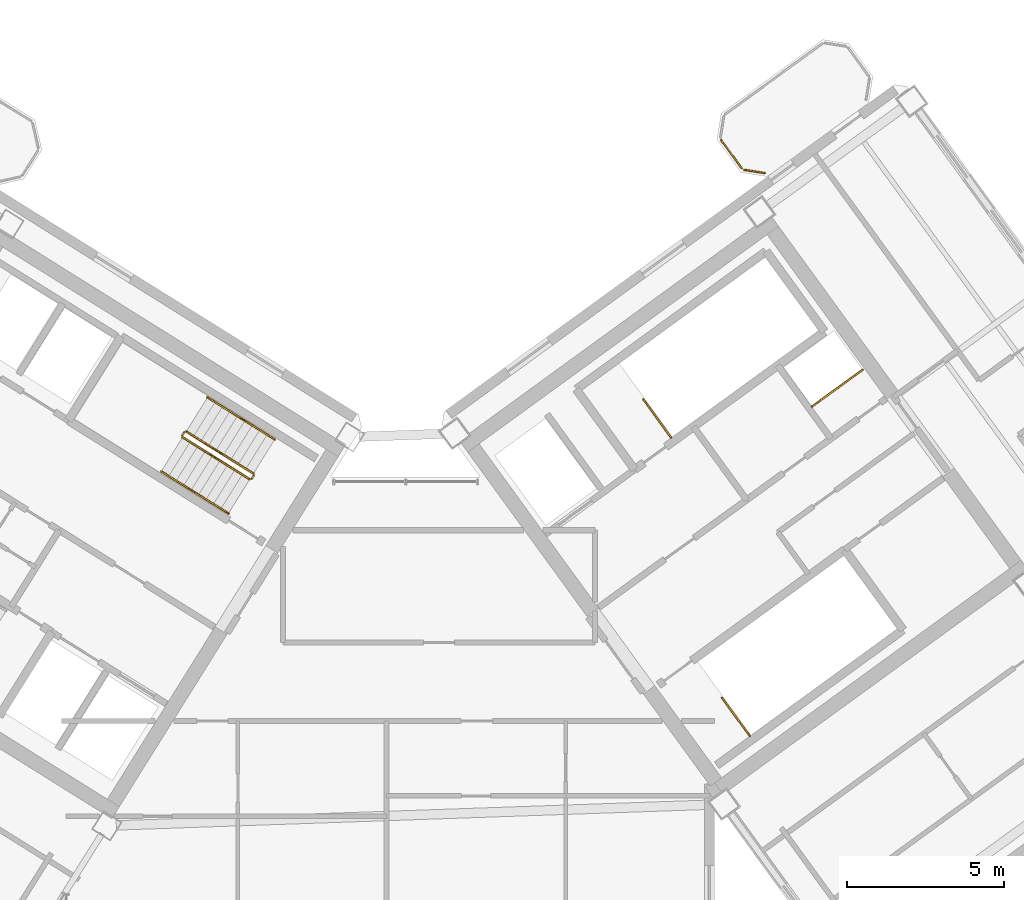
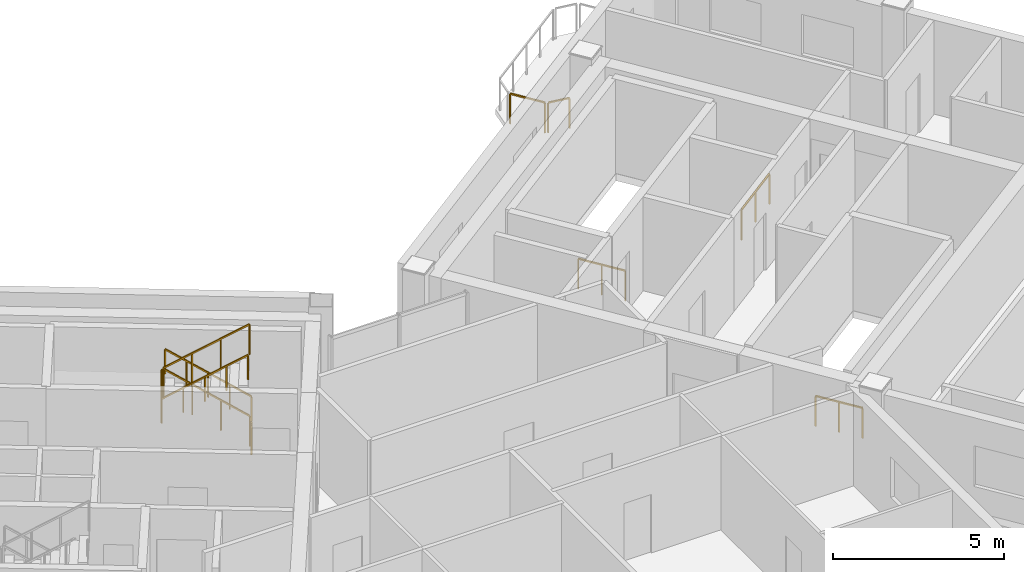
# One storey, part 24 of 25: 13 railings.
"""IFC4 building model written with IfcOpenShell, lengths in metres."""

from ifc_helpers import new_model, si_unit, direction, frame, origin, origin_2d, place, context, subcontext, project, spatial, rectangle, extrude, source, transform, mapped, material, type_object, element, save


model = new_model("IFC4")

# Units and contexts
model_context = context("Model", 3, precision=1e-05, world=origin(), true_north=direction((0.0, 1.0)))
body_context = subcontext(model_context, "Body", "Model", "MODEL_VIEW")
ifc_project = project(units=[si_unit("LENGTHUNIT", "METRE"), si_unit("AREAUNIT", "SQUARE_METRE"), si_unit("VOLUMEUNIT", "CUBIC_METRE"), si_unit("PLANEANGLEUNIT", "RADIAN"), si_unit("MASSUNIT", "GRAM", prefix="KILO")], contexts=[model_context])

# Site, building, storey
site_placement = place(None, origin())
site = spatial("IfcSite", under=ifc_project, at=site_placement, CompositionType="ELEMENT")
building_placement = place(site_placement, origin())
building = spatial("IfcBuilding", under=site, at=building_placement, Name="Tlacorven Tower", CompositionType="ELEMENT")
storey_placement = place(building_placement, frame((0.0, 0.0, 259.199951171875)))
storey = spatial("IfcBuildingStorey", under=building, at=storey_placement, Name="L65", CompositionType="ELEMENT", Elevation=259.199951171875)

# Railings
ifc_material = material(Name="Aluminium and painted steel balustrade", Category="steel")
railing_type_1 = type_object("IfcRailingType", Name="RL-GRD-1100", PredefinedType="GUARDRAIL", material=ifc_material)
shared_shape_1 = source(origin(), body_context, "Body", "SweptSolid", [
    extrude(rectangle(XDim=0.048095703125, YDim=0.048095703125, at=origin_2d()), frame((0.0, 0.0, 1.076171875), z_axis=(0.808947177504, 0.587881334972, 0.0), x_axis=(-0.587881334972, 0.808947177504, 0.0)), (0.0, 0.0, 1.0), 2.0),
    extrude(rectangle(XDim=0.0419921875, YDim=0.0419921875, at=origin_2d()), origin(), (0.0, 0.0, 1.0), 1.052001953125),
    extrude(rectangle(XDim=0.0419921875, YDim=0.0419921875, at=origin_2d()), frame((0.80908203125, 0.587890625, 0.0)), (0.0, 0.0, 1.0), 1.052001953125),
    extrude(rectangle(XDim=0.0419921875, YDim=0.0419921875, at=origin_2d()), frame((1.617919921875, 1.17578125, 0.0)), (0.0, 0.0, 1.0), 1.052001953125),
])
railing_1_placement = place(storey_placement, frame((55.506103515625, 25.438232421875, 0.0)))
element("IfcRailing", 1, at=railing_1_placement, inside=storey, type_object=railing_type_1, Name="L65 Electrical Riser E Shaft Guard 1", PredefinedType="GUARDRAIL", context=body_context, shape_type="MappedRepresentation", body=[
    mapped(shared_shape_1, transform((0.0, 0.0, 0.0), scale=1.0)),
])
railing_type_2 = type_object("IfcRailingType", Name="RL-BAL-1100", PredefinedType="BALUSTRADE", material=ifc_material)
shared_shape_2 = source(origin(), body_context, "Body", "SweptSolid", [
    extrude(rectangle(XDim=0.048095703125, YDim=0.048095703125, at=origin_2d()), frame((0.0, 0.0, 1.076171875), z_axis=(-0.987718317463, 0.156245081039, 0.0), x_axis=(-0.156245081039, -0.987718317463, 0.0)), (0.0, 0.0, 1.0), 0.66552734375),
    extrude(rectangle(XDim=0.0419921875, YDim=0.0419921875, at=origin_2d()), origin(), (0.0, 0.0, 1.0), 1.052001953125),
    extrude(rectangle(XDim=0.0419921875, YDim=0.0419921875, at=origin_2d()), frame((-0.657470703125, 0.10400390625, 0.0)), (0.0, 0.0, 1.0), 1.052001953125),
])
railing_2_placement = place(storey_placement, frame((54.00341796875, 32.8759765625, 0.0)))
element("IfcRailing", 2, at=railing_2_placement, inside=storey, type_object=railing_type_2, Name="BAL-L65-E-IN Guard Railing 1", PredefinedType="BALUSTRADE", context=body_context, shape_type="MappedRepresentation", body=[
    mapped(shared_shape_2, transform((0.0, 0.0, 0.0), scale=1.0)),
])
shared_shape_3 = source(origin(), body_context, "Body", "SweptSolid", [
    extrude(rectangle(XDim=0.048095703125, YDim=0.048095703125, at=origin_2d()), frame((0.0, 0.0, 1.076171875), z_axis=(-0.587740817519, 0.809049276263, 0.0), x_axis=(-0.809049276263, -0.587740817519, 0.0)), (0.0, 0.0, 1.0), 1.112060546875),
    extrude(rectangle(XDim=0.0419921875, YDim=0.0419921875, at=origin_2d()), origin(), (0.0, 0.0, 1.0), 1.052001953125),
    extrude(rectangle(XDim=0.0419921875, YDim=0.0419921875, at=origin_2d()), frame((-0.653564453125, 0.899658203125, 0.0)), (0.0, 0.0, 1.0), 1.052001953125),
])
railing_3_placement = place(storey_placement, frame((53.26708984375, 33.0283203125, 0.0)))
element("IfcRailing", 3, at=railing_3_placement, inside=storey, type_object=railing_type_2, Name="BAL-L65-E-IN Guard Railing 2", PredefinedType="BALUSTRADE", context=body_context, shape_type="MappedRepresentation", body=[
    mapped(shared_shape_3, transform((0.0, 0.0, 0.0), scale=1.0)),
])
shared_shape_4 = source(origin(), body_context, "Body", "SweptSolid", [
    extrude(rectangle(XDim=0.048095703125, YDim=0.048095703125, at=origin_2d()), frame((0.0, 0.0, 1.076171875), z_axis=(-0.713319727316, 0.445773895627, 0.540796265334), x_axis=(-0.529955395941, -0.84802551749, 0.0)), (0.0, 0.0, 1.0), 2.995849609375),
    extrude(rectangle(XDim=0.0419921875, YDim=0.0419921875, at=origin_2d()), origin(), (0.0, 0.0, 1.0), 1.052001953125),
    extrude(rectangle(XDim=0.0419921875, YDim=0.0419921875, at=origin_2d()), frame((-0.71240234375, 0.445068359375, 0.5400390625)), (0.0, 0.0, 1.0), 1.052001953125),
    extrude(rectangle(XDim=0.0419921875, YDim=0.0419921875, at=origin_2d()), frame((-1.424560546875, 0.890380859375, 1.080078125)), (0.0, 0.0, 1.0), 1.052001953125),
    extrude(rectangle(XDim=0.0419921875, YDim=0.0419921875, at=origin_2d()), frame((-2.136962890625, 1.33544921875, 1.6201171875)), (0.0, 0.0, 1.0), 1.052001953125),
])
railing_4_placement = place(storey_placement, frame((37.712158203125, 23.3095703125, 0.179931640625)))
element("IfcRailing", 4, at=railing_4_placement, inside=storey, type_object=railing_type_1, Name="L65 ST-W2 stair guard 1", PredefinedType="GUARDRAIL", context=body_context, shape_type="MappedRepresentation", body=[
    mapped(shared_shape_4, transform((0.0, 0.0, 0.0), scale=1.0)),
])
shared_shape_5 = source(origin(), body_context, "Body", "SweptSolid", [
    extrude(rectangle(XDim=0.048095703125, YDim=0.048095703125, at=origin_2d()), frame((0.0, 0.0, 1.076171875), z_axis=(-0.530546985787, -0.847655529016, 0.0), x_axis=(0.847655529016, -0.530546985787, 0.0)), (0.0, 0.0, 1.0), 0.1201171875),
    extrude(rectangle(XDim=0.0419921875, YDim=0.0419921875, at=origin_2d()), origin(), (0.0, 0.0, 1.0), 1.052001953125),
    extrude(rectangle(XDim=0.0419921875, YDim=0.0419921875, at=origin_2d()), frame((-0.063720703125, -0.101806640625, 0.0)), (0.0, 0.0, 1.0), 1.052001953125),
])
railing_5_placement = place(storey_placement, frame((37.728271484375, 23.24072265625, 0.0)))
element("IfcRailing", 5, at=railing_5_placement, inside=storey, type_object=railing_type_1, Name="L65 ST-W2 stair guard 4", PredefinedType="GUARDRAIL", context=body_context, shape_type="MappedRepresentation", body=[
    mapped(shared_shape_5, transform((0.0, 0.0, 0.0), scale=1.0)),
])
railing_type_3 = type_object("IfcRailingType", Name="RL-HND-0900", PredefinedType="HANDRAIL", material=ifc_material)
shared_shape_6 = source(origin(), body_context, "Body", "SweptSolid", [
    extrude(rectangle(XDim=0.048095703125, YDim=0.048095703125, at=origin_2d()), frame((0.0, 0.0, 0.8759765625), z_axis=(-0.713359751793, 0.4457479829, 0.540764828981), x_axis=(-0.529911857636, -0.848052724267, 0.0)), (0.0, 0.0, 1.0), 1.498046875),
    extrude(rectangle(XDim=0.0419921875, YDim=0.0419921875, at=origin_2d()), origin(), (0.0, 0.0, 1.0), 0.851806640625),
    extrude(rectangle(XDim=0.0419921875, YDim=0.0419921875, at=origin_2d()), frame((-0.5341796875, 0.333984375, 0.405029296875)), (0.0, 0.0, 1.0), 0.851806640625),
    extrude(rectangle(XDim=0.0419921875, YDim=0.0419921875, at=origin_2d()), frame((-1.068603515625, 0.667724609375, 0.81005859375)), (0.0, 0.0, 1.0), 0.851806640625),
])
for number, where, name in (
    (6, (38.390625, 24.39501953125, 0.179931640625), "L65 ST-W2 stair handrail 1"),
    (7, (37.322021484375, 25.062744140625, 0.989990234375), "L65 ST-W2 stair handrail 2"),
):
    element("IfcRailing", number, at=place(storey_placement, frame(where)), inside=storey, type_object=railing_type_3, Name=name, PredefinedType="HANDRAIL", context=body_context, shape_type="MappedRepresentation", body=[
        mapped(shared_shape_6, transform((0.0, 0.0, 0.0), scale=1.0)),
    ])
shared_shape_7 = source(origin(), body_context, "Body", "SweptSolid", [
    extrude(rectangle(XDim=0.048095703125, YDim=0.048095703125, at=origin_2d()), frame((0.0, 0.0, 0.8759765625), z_axis=(0.713359751793, -0.4457479829, 0.540764828981), x_axis=(0.529911857636, 0.848052724267, 0.0)), (0.0, 0.0, 1.0), 1.498046875),
    extrude(rectangle(XDim=0.0419921875, YDim=0.0419921875, at=origin_2d()), origin(), (0.0, 0.0, 1.0), 0.851806640625),
    extrude(rectangle(XDim=0.0419921875, YDim=0.0419921875, at=origin_2d()), frame((0.5341796875, -0.333984375, 0.405029296875)), (0.0, 0.0, 1.0), 0.851806640625),
    extrude(rectangle(XDim=0.0419921875, YDim=0.0419921875, at=origin_2d()), frame((1.068603515625, -0.667724609375, 0.81005859375)), (0.0, 0.0, 1.0), 0.851806640625),
])
for number, where, name in (
    (8, (34.7802734375, 23.372802734375, 1.97998046875), "L65 ST-W2 stair handrail 3"),
    (9, (35.848876953125, 22.705078125, 2.7900390625), "L65 ST-W2 stair handrail 4"),
):
    element("IfcRailing", number, at=place(storey_placement, frame(where)), inside=storey, type_object=railing_type_3, Name=name, PredefinedType="HANDRAIL", context=body_context, shape_type="MappedRepresentation", body=[
        mapped(shared_shape_7, transform((0.0, 0.0, 0.0), scale=1.0)),
    ])
shared_shape_8 = source(origin(), body_context, "Body", "SweptSolid", [
    extrude(rectangle(XDim=0.048095703125, YDim=0.048095703125, at=origin_2d()), frame((0.0, 0.0, 1.076171875), z_axis=(-0.531462422766, -0.847081869236, 0.0), x_axis=(0.847081869236, -0.531462422766, 0.0)), (0.0, 0.0, 1.0), 0.119873046875),
    extrude(rectangle(XDim=0.0419921875, YDim=0.0419921875, at=origin_2d()), origin(), (0.0, 0.0, 1.0), 1.052001953125),
    extrude(rectangle(XDim=0.0419921875, YDim=0.0419921875, at=origin_2d()), frame((-0.063720703125, -0.1015625, 0.0)), (0.0, 0.0, 1.0), 1.052001953125),
])
railing_6_placement = place(storey_placement, frame((35.50634765625, 24.62890625, 1.800048828125)))
element("IfcRailing", 10, at=railing_6_placement, inside=storey, type_object=railing_type_1, Name="L65 ST-W2 stair guard 2", PredefinedType="GUARDRAIL", context=body_context, shape_type="MappedRepresentation", body=[
    mapped(shared_shape_8, transform((0.0, 0.0, 0.0), scale=1.0)),
])
shared_shape_9 = source(origin(), body_context, "Body", "SweptSolid", [
    extrude(rectangle(XDim=0.048095703125, YDim=0.048095703125, at=origin_2d()), frame((0.0, 0.0, 1.076171875), z_axis=(0.713385662783, -0.445682681033, 0.540784470897), x_axis=(0.52984217967, 0.848096259066, 0.0)), (0.0, 0.0, 1.0), 2.995849609375),
    extrude(rectangle(XDim=0.0419921875, YDim=0.0419921875, at=origin_2d()), origin(), (0.0, 0.0, 1.0), 1.052001953125),
    extrude(rectangle(XDim=0.0419921875, YDim=0.0419921875, at=origin_2d()), frame((0.71240234375, -0.445068359375, 0.5400390625)), (0.0, 0.0, 1.0), 1.052001953125),
    extrude(rectangle(XDim=0.0419921875, YDim=0.0419921875, at=origin_2d()), frame((1.4248046875, -0.89013671875, 1.080078125)), (0.0, 0.0, 1.0), 1.052001953125),
    extrude(rectangle(XDim=0.0419921875, YDim=0.0419921875, at=origin_2d()), frame((2.13720703125, -1.335205078125, 1.6201171875)), (0.0, 0.0, 1.0), 1.052001953125),
])
railing_7_placement = place(storey_placement, frame((35.45849609375, 24.458251953125, 1.97998046875)))
element("IfcRailing", 11, at=railing_7_placement, inside=storey, type_object=railing_type_1, Name="L65 ST-W2 stair guard 3", PredefinedType="GUARDRAIL", context=body_context, shape_type="MappedRepresentation", body=[
    mapped(shared_shape_9, transform((0.0, 0.0, 0.0), scale=1.0)),
])
shared_shape_10 = source(origin(), body_context, "Body", "SweptSolid", [
    extrude(rectangle(XDim=0.048095703125, YDim=0.048095703125, at=origin_2d()), frame((0.0, 0.0, 1.076171875), z_axis=(-0.587794162824, 0.80901052042, 0.0), x_axis=(-0.80901052042, -0.587794162824, 0.0)), (0.0, 0.0, 1.0), 1.499755859375),
    extrude(rectangle(XDim=0.0419921875, YDim=0.0419921875, at=origin_2d()), origin(), (0.0, 0.0, 1.0), 1.052001953125),
    extrude(rectangle(XDim=0.0419921875, YDim=0.0419921875, at=origin_2d()), frame((-0.44091796875, 0.606689453125, 0.0)), (0.0, 0.0, 1.0), 1.052001953125),
    extrude(rectangle(XDim=0.0419921875, YDim=0.0419921875, at=origin_2d()), frame((-0.881591796875, 1.21337890625, 0.0)), (0.0, 0.0, 1.0), 1.052001953125),
])
railing_8_placement = place(storey_placement, frame((51.0185546875, 24.452392578125, 0.0)))
element("IfcRailing", 12, at=railing_8_placement, inside=storey, type_object=railing_type_1, Name="L65 ST-E1 top well guard 1", PredefinedType="GUARDRAIL", context=body_context, shape_type="MappedRepresentation", body=[
    mapped(shared_shape_10, transform((0.0, 0.0, 0.0), scale=1.0)),
])
shared_shape_11 = source(origin(), body_context, "Body", "SweptSolid", [
    extrude(rectangle(XDim=0.048095703125, YDim=0.048095703125, at=origin_2d()), frame((0.0, 0.0, 1.076171875), z_axis=(-0.587716763865, 0.809066749701, 0.0), x_axis=(-0.809066749701, -0.587716763865, 0.0)), (0.0, 0.0, 1.0), 1.5),
    extrude(rectangle(XDim=0.0419921875, YDim=0.0419921875, at=origin_2d()), origin(), (0.0, 0.0, 1.0), 1.052001953125),
    extrude(rectangle(XDim=0.0419921875, YDim=0.0419921875, at=origin_2d()), frame((-0.44091796875, 0.60693359375, 0.0)), (0.0, 0.0, 1.0), 1.052001953125),
    extrude(rectangle(XDim=0.0419921875, YDim=0.0419921875, at=origin_2d()), frame((-0.881591796875, 1.213623046875, 0.0)), (0.0, 0.0, 1.0), 1.052001953125),
])
railing_9_placement = place(storey_placement, frame((53.5224609375, 14.94921875, 0.0)))
element("IfcRailing", 13, at=railing_9_placement, inside=storey, type_object=railing_type_1, Name="L65 ST-E2 top well guard 1", PredefinedType="GUARDRAIL", context=body_context, shape_type="MappedRepresentation", body=[
    mapped(shared_shape_11, transform((0.0, 0.0, 0.0), scale=1.0)),
])

save(model, "model.ifc")
